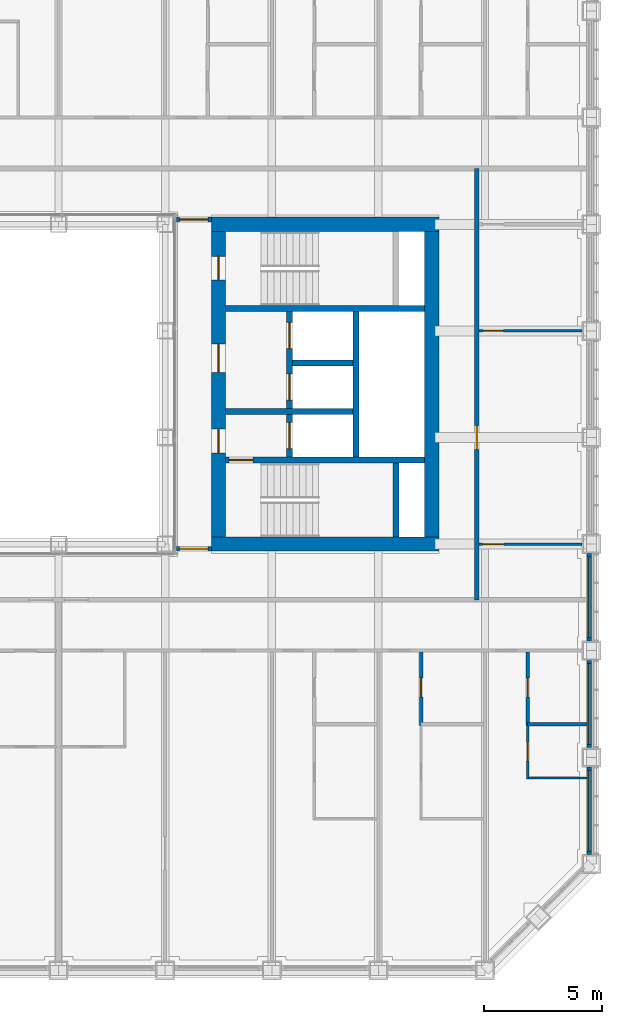
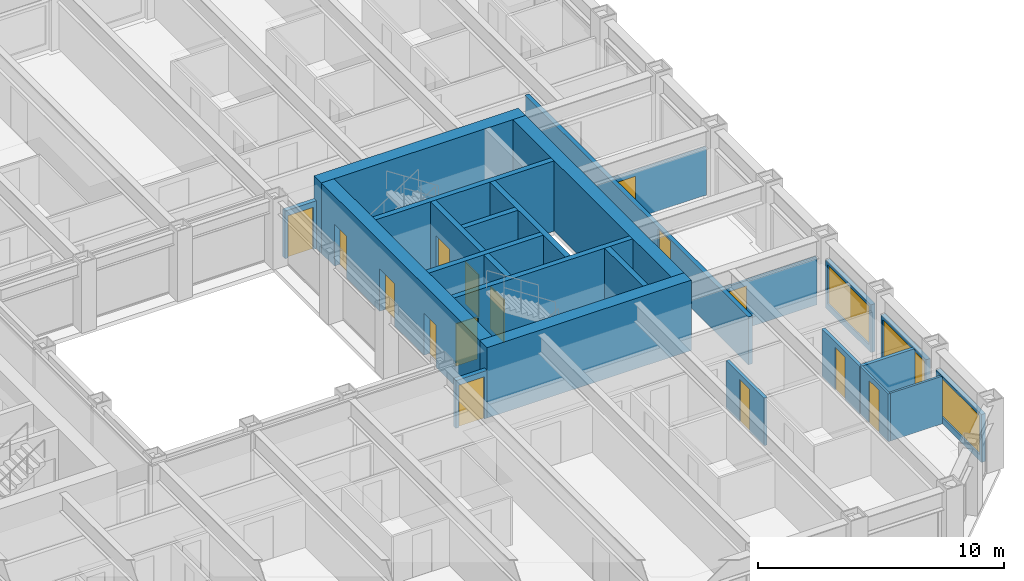
# One storey, part 12 of 21: 24 walls, 15 doors, 3 windows, 18 openings.
"""IFC4 building model written with IfcOpenShell, lengths in metres."""

from ifc_helpers import new_model, si_unit, direction, frame, frame_2d, origin, place, context, subcontext, project, spatial, rectangle, extrude, material, layer, layer_set, type_object, element, fill, save


model = new_model("IFC4")

# Units and contexts
model_context = context("Model", 3, precision=1e-05, world=origin(), true_north=direction((0.0, 1.0)))
body_context = subcontext(model_context, "Body", "Model", "MODEL_VIEW")
ifc_project = project(units=[si_unit("LENGTHUNIT", "METRE"), si_unit("AREAUNIT", "SQUARE_METRE"), si_unit("VOLUMEUNIT", "CUBIC_METRE"), si_unit("PLANEANGLEUNIT", "RADIAN"), si_unit("MASSUNIT", "GRAM", prefix="KILO")], contexts=[model_context])

# Site, building, storey
site_placement = place(None, origin())
site = spatial("IfcSite", under=ifc_project, at=site_placement, CompositionType="ELEMENT")
building_placement = place(site_placement, origin())
building = spatial("IfcBuilding", under=site, at=building_placement, Name="Msasa Ring Tower", CompositionType="ELEMENT")
storey_placement = place(building_placement, frame((0.0, 0.0, 79.0)))
storey = spatial("IfcBuildingStorey", under=building, at=storey_placement, Name="L20", CompositionType="ELEMENT", Elevation=79.0)

# Walls
ifc_material_1 = material(Name="Concrete C60/75", Category="concrete")
ifc_layer_1 = layer(ifc_material_1, 0.60009765625)
ifc_layer_set_1 = layer_set([ifc_layer_1], Name="CW1 CORE WALL 600")
wall_type_1 = type_object("IfcWallType", Name="CW1 CORE WALL 600", PredefinedType="SHEAR", material=ifc_layer_set_1)
for number, where, z_axis, x_axis, name in (
    (1, (8.699951171875, -6.75, 0.0), (0.0, 0.0, 1.0), (1.0, 0.0, 0.0), "E core wall S L20"),
    (2, (8.699951171875, 6.75, 0.0), (0.0, 0.0, 1.0), (1.0, 0.0, 0.0), "E core wall N L20"),
):
    element("IfcWall", number, at=place(storey_placement, frame(where, z_axis=z_axis, x_axis=x_axis)), inside=storey, type_object=wall_type_1, Name=name, PredefinedType="SHEAR", context=body_context, shape_type="SweptSolid", body=[
        extrude(rectangle(XDim=9.60009765625, YDim=0.60009765625, at=frame_2d((4.800048828125, 0.0))), origin(), (0.0, 0.0, 1.0), 3.5),
    ])

# Wall, openings, doors
wall_1_placement = place(storey_placement, frame((9.0, -6.449951171875, 0.0), z_axis=(0.0, 0.0, 1.0), x_axis=(0.0, 1.0, 0.0)))
wall_1 = element("IfcWall", 3, at=wall_1_placement, inside=storey, type_object=wall_type_1, Name="E core wall W L20", PredefinedType="SHEAR", context=body_context, shape_type="SweptSolid", body=[
    extrude(rectangle(XDim=12.89990234375, YDim=0.60009765625, at=frame_2d((6.449951171875, 0.0))), origin(), (0.0, 0.0, 1.0), 3.5),
])
opening_1_placement = place(wall_1_placement, frame((3.550048828125, 0.0, 0.0)))
opening_1 = element("IfcOpeningElement", 4, at=opening_1_placement, cuts=wall_1, Name="Opening RF-047", PredefinedType="OPENING", context=body_context, shape_type="SweptSolid", body=[
    extrude(rectangle(XDim=1.0, YDim=2.10009765625, at=frame_2d((0.5, 1.050048828125))), frame((0.0, 0.31005859375, 0.0), z_axis=(0.0, -1.0, 0.0), x_axis=(1.0, 0.0, 0.0)), (0.0, 0.0, 1.0), 0.6201171875),
])
opening_2_placement = place(wall_1_placement, frame((6.949951171875, 0.0, 0.0)))
opening_2 = element("IfcOpeningElement", 5, at=opening_2_placement, cuts=wall_1, Name="Opening RF-043", PredefinedType="OPENING", context=body_context, shape_type="SweptSolid", body=[
    extrude(rectangle(XDim=1.199951171875, YDim=2.10009765625, at=frame_2d((0.60009765625, 1.050048828125))), frame((0.0, 0.31005859375, 0.0), z_axis=(0.0, -1.0, 0.0), x_axis=(1.0, 0.0, 0.0)), (0.0, 0.0, 1.0), 0.6201171875),
])
opening_3_placement = place(wall_1_placement, frame((10.85009765625, 0.0, 0.0)))
opening_3 = element("IfcOpeningElement", 6, at=opening_3_placement, cuts=wall_1, Name="Opening RF-039", PredefinedType="OPENING", context=body_context, shape_type="SweptSolid", body=[
    extrude(rectangle(XDim=1.0, YDim=2.10009765625, at=frame_2d((0.5, 1.050048828125))), frame((0.0, 0.31005859375, 0.0), z_axis=(0.0, -1.0, 0.0), x_axis=(1.0, 0.0, 0.0)), (0.0, 0.0, 1.0), 0.6201171875),
])
ifc_material_2 = material(Name="Timber door leaf in a steel frame", Category="steel")
door_type_1 = type_object("IfcDoorType", Name="D4 LOBBY DOOR 1000x2100", OperationType="SINGLE_SWING_LEFT", PredefinedType="DOOR", material=ifc_material_2)
door_1_placement = place(opening_1_placement, origin())
door_1 = element("IfcDoor", 7, at=door_1_placement, inside=storey, type_object=door_type_1, Name="Door L20-EFFL", OperationType="SINGLE_SWING_LEFT", OverallHeight=2.10009765625, OverallWidth=1.0, PredefinedType="DOOR", context=body_context, shape_type="SweptSolid", body=[
    extrude(rectangle(XDim=1.0, YDim=2.10009765625, at=frame_2d((0.5, 1.050048828125))), frame((0.0, 0.02490234375, 0.0), z_axis=(0.0, -1.0, 0.0), x_axis=(1.0, 0.0, 0.0)), (0.0, 0.0, 1.0), 0.050048828125),
])
fill(opening_1, door_1)
ifc_material_3 = material(Name="Timber door leaf in a steel frame", Category="steel")
door_type_2 = type_object("IfcDoorType", Name="D5 WIDE LOBBY DOOR 1200x2100", OperationType="SINGLE_SWING_LEFT", PredefinedType="DOOR", material=ifc_material_3)
door_2_placement = place(opening_2_placement, origin())
door_2 = element("IfcDoor", 8, at=door_2_placement, inside=storey, type_object=door_type_2, Name="Door L20-ELL", OperationType="SINGLE_SWING_RIGHT", OverallHeight=2.10009765625, OverallWidth=1.199951171875, PredefinedType="DOOR", context=body_context, shape_type="SweptSolid", body=[
    extrude(rectangle(XDim=1.199951171875, YDim=2.10009765625, at=frame_2d((0.60009765625, 1.050048828125))), frame((0.0, 0.02490234375, 0.0), z_axis=(0.0, -1.0, 0.0), x_axis=(1.0, 0.0, 0.0)), (0.0, 0.0, 1.0), 0.050048828125),
])
fill(opening_2, door_2)
ifc_material_4 = material(Name="Timber door leaf in a steel frame", Category="steel")
door_type_3 = type_object("IfcDoorType", Name="D6 STAIR DOOR 1000x2100", OperationType="SINGLE_SWING_LEFT", PredefinedType="DOOR", material=ifc_material_4)
door_3_placement = place(opening_3_placement, origin())
door_3 = element("IfcDoor", 9, at=door_3_placement, inside=storey, type_object=door_type_3, Name="Door L20-ESTB", OperationType="SINGLE_SWING_RIGHT", OverallHeight=2.10009765625, OverallWidth=1.0, PredefinedType="DOOR", context=body_context, shape_type="SweptSolid", body=[
    extrude(rectangle(XDim=1.0, YDim=2.10009765625, at=frame_2d((0.5, 1.050048828125))), frame((0.0, 0.02490234375, 0.0), z_axis=(0.0, -1.0, 0.0), x_axis=(1.0, 0.0, 0.0)), (0.0, 0.0, 1.0), 0.050048828125),
])
fill(opening_3, door_3)

# Wall
wall_2_placement = place(storey_placement, frame((18.0, -6.449951171875, 0.0), z_axis=(0.0, 0.0, 1.0), x_axis=(0.0, 1.0, 0.0)))
element("IfcWall", 10, at=wall_2_placement, inside=storey, type_object=wall_type_1, Name="E core wall E L20", PredefinedType="SHEAR", context=body_context, shape_type="SweptSolid", body=[
    extrude(rectangle(XDim=12.89990234375, YDim=0.60009765625, at=frame_2d((6.449951171875, 0.0))), origin(), (0.0, 0.0, 1.0), 3.5),
])

# Wall, opening, door
ifc_material_5 = material(Name="Concrete C60/75", Category="concrete")
ifc_layer_2 = layer(ifc_material_5, 0.25)
ifc_layer_set_2 = layer_set([ifc_layer_2], Name="CW4 CORE INNER WALL 250")
wall_type_2 = type_object("IfcWallType", Name="CW4 CORE INNER WALL 250", PredefinedType="SHEAR", material=ifc_layer_set_2)
wall_3_placement = place(storey_placement, frame((9.300048828125, -3.199951171875, 0.0), z_axis=(0.0, 0.0, 1.0), x_axis=(1.0, 0.0, 0.0)))
wall_3 = element("IfcWall", 11, at=wall_3_placement, inside=storey, type_object=wall_type_2, Name="E core wall STAIRA L20", PredefinedType="SHEAR", context=body_context, shape_type="SweptSolid", body=[
    extrude(rectangle(XDim=8.39990234375, YDim=0.25, at=frame_2d((4.199951171875, 0.0))), origin(), (0.0, 0.0, 1.0), 3.5),
])
opening_4_placement = place(wall_3_placement, frame((0.14990234375, 0.0, 0.0)))
opening_4 = element("IfcOpeningElement", 12, at=opening_4_placement, cuts=wall_3, Name="Opening RF-049", PredefinedType="OPENING", context=body_context, shape_type="SweptSolid", body=[
    extrude(rectangle(XDim=1.0, YDim=2.10009765625, at=frame_2d((0.5, 1.050048828125))), frame((0.0, 0.135009765625, 0.0), z_axis=(0.0, -1.0, 0.0), x_axis=(1.0, 0.0, 0.0)), (0.0, 0.0, 1.0), 0.27001953125),
])
door_4_placement = place(opening_4_placement, origin())
door_4 = element("IfcDoor", 13, at=door_4_placement, inside=storey, type_object=door_type_3, Name="Door L20-ESTA", OperationType="SINGLE_SWING_LEFT", OverallHeight=2.10009765625, OverallWidth=1.0, PredefinedType="DOOR", context=body_context, shape_type="SweptSolid", body=[
    extrude(rectangle(XDim=1.0, YDim=2.10009765625, at=frame_2d((0.5, 1.050048828125))), frame((0.0, 0.02490234375, 0.0), z_axis=(0.0, -1.0, 0.0), x_axis=(1.0, 0.0, 0.0)), (0.0, 0.0, 1.0), 0.050048828125),
])
fill(opening_4, door_4)

# Walls
wall_4_placement = place(storey_placement, frame((9.300048828125, 3.199951171875, 0.0), z_axis=(0.0, 0.0, 1.0), x_axis=(1.0, 0.0, 0.0)))
element("IfcWall", 14, at=wall_4_placement, inside=storey, type_object=wall_type_2, Name="E core wall STAIRB L20", PredefinedType="SHEAR", context=body_context, shape_type="SweptSolid", body=[
    extrude(rectangle(XDim=8.39990234375, YDim=0.25, at=frame_2d((4.199951171875, 0.0))), origin(), (0.0, 0.0, 1.0), 3.5),
])
wall_5_placement = place(storey_placement, frame((16.5, -6.449951171875, 0.0), z_axis=(0.0, 0.0, 1.0), x_axis=(0.0, 1.0, 0.0)))
element("IfcWall", 15, at=wall_5_placement, inside=storey, type_object=wall_type_2, Name="E core wall RISERA L20", PredefinedType="SHEAR", context=body_context, shape_type="SweptSolid", body=[
    extrude(rectangle(XDim=3.125, YDim=0.25, at=frame_2d((1.5625, 0.0))), origin(), (0.0, 0.0, 1.0), 3.5),
])
wall_6_placement = place(storey_placement, frame((9.300048828125, -1.14990234375, 0.0), z_axis=(0.0, 0.0, 1.0), x_axis=(1.0, 0.0, 0.0)))
element("IfcWall", 16, at=wall_6_placement, inside=storey, type_object=wall_type_2, Name="E core wall FFL L20", PredefinedType="SHEAR", context=body_context, shape_type="SweptSolid", body=[
    extrude(rectangle(XDim=5.375, YDim=0.25, at=frame_2d((2.6875, 0.0))), origin(), (0.0, 0.0, 1.0), 3.5),
])

# Wall, openings, doors
wall_7_placement = place(storey_placement, frame((12.0, -3.074951171875, 0.0), z_axis=(0.0, 0.0, 1.0), x_axis=(0.0, 1.0, 0.0)))
wall_7 = element("IfcWall", 17, at=wall_7_placement, inside=storey, type_object=wall_type_2, Name="E core wall LOBBY L20", PredefinedType="SHEAR", context=body_context, shape_type="SweptSolid", body=[
    extrude(rectangle(XDim=6.14990234375, YDim=0.25, at=frame_2d((3.074951171875, 0.0))), origin(), (0.0, 0.0, 1.0), 3.5),
])
opening_5_placement = place(wall_7_placement, frame((0.35009765625, 0.0, 0.0)))
opening_5 = element("IfcOpeningElement", 18, at=opening_5_placement, cuts=wall_7, Name="Opening LD1", PredefinedType="OPENING", context=body_context, shape_type="SweptSolid", body=[
    extrude(rectangle(XDim=1.10009765625, YDim=2.10009765625, at=frame_2d((0.550048828125, 1.050048828125))), frame((0.0, 0.135009765625, 0.0), z_axis=(0.0, -1.0, 0.0), x_axis=(1.0, 0.0, 0.0)), (0.0, 0.0, 1.0), 0.27001953125),
])
opening_6_placement = place(wall_7_placement, frame((2.39990234375, 0.0, 0.0)))
opening_6 = element("IfcOpeningElement", 19, at=opening_6_placement, cuts=wall_7, Name="Opening LD1", PredefinedType="OPENING", context=body_context, shape_type="SweptSolid", body=[
    extrude(rectangle(XDim=1.10009765625, YDim=2.10009765625, at=frame_2d((0.550048828125, 1.050048828125))), frame((0.0, 0.135009765625, 0.0), z_axis=(0.0, -1.0, 0.0), x_axis=(1.0, 0.0, 0.0)), (0.0, 0.0, 1.0), 0.27001953125),
])
opening_7_placement = place(wall_7_placement, frame((4.574951171875, 0.0, 0.0)))
opening_7 = element("IfcOpeningElement", 20, at=opening_7_placement, cuts=wall_7, Name="Opening LD1", PredefinedType="OPENING", context=body_context, shape_type="SweptSolid", body=[
    extrude(rectangle(XDim=1.10009765625, YDim=2.10009765625, at=frame_2d((0.550048828125, 1.050048828125))), frame((0.0, 0.135009765625, 0.0), z_axis=(0.0, -1.0, 0.0), x_axis=(1.0, 0.0, 0.0)), (0.0, 0.0, 1.0), 0.27001953125),
])
ifc_material_6 = material(Name="Stainless steel lift landing door", Category="steel")
door_type_4 = type_object("IfcDoorType", Name="LD1 LIFT LANDING DOOR 1100x2100", OperationType="DOUBLE_DOOR_SLIDING", PredefinedType="DOOR", material=ifc_material_6)
door_5_placement = place(opening_5_placement, origin())
door_5 = element("IfcDoor", 21, at=door_5_placement, inside=storey, type_object=door_type_4, Name="Lift landing door FL-E L20", OperationType="DOUBLE_DOOR_SLIDING", OverallHeight=2.10009765625, OverallWidth=1.10009765625, PredefinedType="DOOR", context=body_context, shape_type="SweptSolid", body=[
    extrude(rectangle(XDim=1.10009765625, YDim=2.10009765625, at=frame_2d((0.550048828125, 1.050048828125))), frame((0.0, 0.02490234375, 0.0), z_axis=(0.0, -1.0, 0.0), x_axis=(1.0, 0.0, 0.0)), (0.0, 0.0, 1.0), 0.050048828125),
])
fill(opening_5, door_5)
door_6_placement = place(opening_6_placement, origin())
door_6 = element("IfcDoor", 22, at=door_6_placement, inside=storey, type_object=door_type_4, Name="Lift landing door PL-R1 L20", OperationType="DOUBLE_DOOR_SLIDING", OverallHeight=2.10009765625, OverallWidth=1.10009765625, PredefinedType="DOOR", context=body_context, shape_type="SweptSolid", body=[
    extrude(rectangle(XDim=1.10009765625, YDim=2.10009765625, at=frame_2d((0.550048828125, 1.050048828125))), frame((0.0, 0.02490234375, 0.0), z_axis=(0.0, -1.0, 0.0), x_axis=(1.0, 0.0, 0.0)), (0.0, 0.0, 1.0), 0.050048828125),
])
fill(opening_6, door_6)
door_7_placement = place(opening_7_placement, origin())
door_7 = element("IfcDoor", 23, at=door_7_placement, inside=storey, type_object=door_type_4, Name="Lift landing door PL-R2 L20", OperationType="DOUBLE_DOOR_SLIDING", OverallHeight=2.10009765625, OverallWidth=1.10009765625, PredefinedType="DOOR", context=body_context, shape_type="SweptSolid", body=[
    extrude(rectangle(XDim=1.10009765625, YDim=2.10009765625, at=frame_2d((0.550048828125, 1.050048828125))), frame((0.0, 0.02490234375, 0.0), z_axis=(0.0, -1.0, 0.0), x_axis=(1.0, 0.0, 0.0)), (0.0, 0.0, 1.0), 0.050048828125),
])
fill(opening_7, door_7)

# Walls
wall_8_placement = place(storey_placement, frame((14.800048828125, -3.074951171875, 0.0), z_axis=(0.0, 0.0, 1.0), x_axis=(0.0, 1.0, 0.0)))
element("IfcWall", 24, at=wall_8_placement, inside=storey, type_object=wall_type_2, Name="E core wall SHAFT L20", PredefinedType="SHEAR", context=body_context, shape_type="SweptSolid", body=[
    extrude(rectangle(XDim=6.14990234375, YDim=0.25, at=frame_2d((3.074951171875, 0.0))), origin(), (0.0, 0.0, 1.0), 3.5),
])
wall_9_placement = place(storey_placement, frame((12.125, 0.89990234375, 0.0), z_axis=(0.0, 0.0, 1.0), x_axis=(1.0, 0.0, 0.0)))
element("IfcWall", 25, at=wall_9_placement, inside=storey, type_object=wall_type_2, Name="E core wall LIFT1 L20", PredefinedType="SHEAR", context=body_context, shape_type="SweptSolid", body=[
    extrude(rectangle(XDim=2.550048828125, YDim=0.25, at=frame_2d((1.27490234375, 0.0))), origin(), (0.0, 0.0, 1.0), 3.5),
])

# Wall, opening, window
ifc_material_7 = material(Name="Terracotta rainscreen on blockwork", Category="masonry")
ifc_layer_3 = layer(ifc_material_7, 0.199951171875)
ifc_layer_set_3 = layer_set([ifc_layer_3], Name="FW1 TERRACOTTA-LINED INFILL BAY WALL 200")
wall_type_3 = type_object("IfcWallType", Name="FW1 TERRACOTTA-LINED INFILL BAY WALL 200", PredefinedType="SOLIDWALL", material=ifc_layer_set_3)
wall_10_placement = place(storey_placement, frame((24.64990234375, -19.844970703125, 0.0), z_axis=(0.0, 0.0, 1.0), x_axis=(0.0, 1.0, 0.0)))
wall_10 = element("IfcWall", 26, at=wall_10_placement, inside=storey, type_object=wall_type_3, Name="Infill bay wall E L20 11", PredefinedType="SOLIDWALL", context=body_context, shape_type="SweptSolid", body=[
    extrude(rectangle(XDim=3.68994140625, YDim=0.199951171875, at=frame_2d((1.844970703125, 0.0))), origin(), (0.0, 0.0, 1.0), 2.37890625),
])
opening_8_placement = place(wall_10_placement, frame((0.14501953125, 0.0, 0.300048828125)))
opening_8 = element("IfcOpeningElement", 27, at=opening_8_placement, cuts=wall_10, Name="Opening WN1", PredefinedType="OPENING", context=body_context, shape_type="SweptSolid", body=[
    extrude(rectangle(XDim=3.39990234375, YDim=1.928955078125, at=frame_2d((1.699951171875, 0.96435546875))), frame((0.0, 0.10986328125, 0.0), z_axis=(0.0, -1.0, 0.0), x_axis=(1.0, 0.0, 0.0)), (0.0, 0.0, 1.0), 0.219970703125),
])
ifc_material_8 = material(Name="Aluminium frame with clear glass", Category="aluminium")
window_type = type_object("IfcWindowType", Name="WN1 RESIDENCE WINDOW 3400x1929", PartitioningType="SINGLE_PANEL", PredefinedType="WINDOW", material=ifc_material_8)
window_1_placement = place(opening_8_placement, origin())
window_1 = element("IfcWindow", 28, at=window_1_placement, inside=storey, type_object=window_type, Name="Window E L20 11", OverallHeight=1.928955078125, OverallWidth=3.39990234375, PartitioningType="SINGLE_PANEL", PredefinedType="WINDOW", context=body_context, shape_type="SweptSolid", body=[
    extrude(rectangle(XDim=3.39990234375, YDim=1.928955078125, at=frame_2d((1.699951171875, 0.96435546875))), frame((0.0, 0.030029296875, 0.0), z_axis=(0.0, -1.0, 0.0), x_axis=(1.0, 0.0, 0.0)), (0.0, 0.0, 1.0), 0.06005859375),
])
fill(opening_8, window_1)

wall_11_placement = place(storey_placement, frame((24.64990234375, -15.344970703125, 0.0), z_axis=(0.0, 0.0, 1.0), x_axis=(0.0, 1.0, 0.0)))
wall_11 = element("IfcWall", 29, at=wall_11_placement, inside=storey, type_object=wall_type_3, Name="Infill bay wall E L20 12", PredefinedType="SOLIDWALL", context=body_context, shape_type="SweptSolid", body=[
    extrude(rectangle(XDim=3.68994140625, YDim=0.199951171875, at=frame_2d((1.844970703125, 0.0))), origin(), (0.0, 0.0, 1.0), 2.37890625),
])
opening_9_placement = place(wall_11_placement, frame((0.14501953125, 0.0, 0.300048828125)))
opening_9 = element("IfcOpeningElement", 30, at=opening_9_placement, cuts=wall_11, Name="Opening WN1", PredefinedType="OPENING", context=body_context, shape_type="SweptSolid", body=[
    extrude(rectangle(XDim=3.39990234375, YDim=1.928955078125, at=frame_2d((1.699951171875, 0.96435546875))), frame((0.0, 0.10986328125, 0.0), z_axis=(0.0, -1.0, 0.0), x_axis=(1.0, 0.0, 0.0)), (0.0, 0.0, 1.0), 0.219970703125),
])
window_2_placement = place(opening_9_placement, origin())
window_2 = element("IfcWindow", 31, at=window_2_placement, inside=storey, type_object=window_type, Name="Window E L20 12", OverallHeight=1.928955078125, OverallWidth=3.39990234375, PartitioningType="SINGLE_PANEL", PredefinedType="WINDOW", context=body_context, shape_type="SweptSolid", body=[
    extrude(rectangle(XDim=3.39990234375, YDim=1.928955078125, at=frame_2d((1.699951171875, 0.96435546875))), frame((0.0, 0.030029296875, 0.0), z_axis=(0.0, -1.0, 0.0), x_axis=(1.0, 0.0, 0.0)), (0.0, 0.0, 1.0), 0.06005859375),
])
fill(opening_9, window_2)

wall_12_placement = place(storey_placement, frame((24.64990234375, -10.844970703125, 0.0), z_axis=(0.0, 0.0, 1.0), x_axis=(0.0, 1.0, 0.0)))
wall_12 = element("IfcWall", 32, at=wall_12_placement, inside=storey, type_object=wall_type_3, Name="Infill bay wall E L20 13", PredefinedType="SOLIDWALL", context=body_context, shape_type="SweptSolid", body=[
    extrude(rectangle(XDim=3.68994140625, YDim=0.199951171875, at=frame_2d((1.844970703125, 0.0))), origin(), (0.0, 0.0, 1.0), 2.37890625),
])
opening_10_placement = place(wall_12_placement, frame((0.14501953125, 0.0, 0.300048828125)))
opening_10 = element("IfcOpeningElement", 33, at=opening_10_placement, cuts=wall_12, Name="Opening WN1", PredefinedType="OPENING", context=body_context, shape_type="SweptSolid", body=[
    extrude(rectangle(XDim=3.39990234375, YDim=1.928955078125, at=frame_2d((1.699951171875, 0.96435546875))), frame((0.0, 0.10986328125, 0.0), z_axis=(0.0, -1.0, 0.0), x_axis=(1.0, 0.0, 0.0)), (0.0, 0.0, 1.0), 0.219970703125),
])
window_3_placement = place(opening_10_placement, origin())
window_3 = element("IfcWindow", 34, at=window_3_placement, inside=storey, type_object=window_type, Name="Window E L20 13", OverallHeight=1.928955078125, OverallWidth=3.39990234375, PartitioningType="SINGLE_PANEL", PredefinedType="WINDOW", context=body_context, shape_type="SweptSolid", body=[
    extrude(rectangle(XDim=3.39990234375, YDim=1.928955078125, at=frame_2d((1.699951171875, 0.96435546875))), frame((0.0, 0.030029296875, 0.0), z_axis=(0.0, -1.0, 0.0), x_axis=(1.0, 0.0, 0.0)), (0.0, 0.0, 1.0), 0.06005859375),
])
fill(opening_10, window_3)

# Wall, opening, door
ifc_material_9 = material(Name="Concrete blockwork", Category="masonry")
ifc_layer_4 = layer(ifc_material_9, 0.199951171875)
ifc_layer_set_4 = layer_set([ifc_layer_4], Name="PT1 CORRIDOR WALL 200")
wall_type_4 = type_object("IfcWallType", Name="PT1 CORRIDOR WALL 200", PredefinedType="PARTITIONING", material=ifc_layer_set_4)
wall_13_placement = place(storey_placement, frame((7.22998046875, 6.949951171875, 0.0), z_axis=(0.0, 0.0, 1.0), x_axis=(1.0, 0.0, 0.0)))
wall_13 = element("IfcWall", 35, at=wall_13_placement, inside=storey, type_object=wall_type_4, Name="Corridor wall L20-SDEN", PredefinedType="PARTITIONING", context=body_context, shape_type="SweptSolid", body=[
    extrude(rectangle(XDim=1.469970703125, YDim=0.199951171875, at=frame_2d((0.73486328125, 0.0))), origin(), (0.0, 0.0, 1.0), 2.373291015625),
])
opening_11_placement = place(wall_13_placement, frame((0.135009765625, 0.0, 0.0)))
opening_11 = element("IfcOpeningElement", 36, at=opening_11_placement, cuts=wall_13, Name="Opening RF-035", PredefinedType="OPENING", context=body_context, shape_type="SweptSolid", body=[
    extrude(rectangle(XDim=1.199951171875, YDim=2.10009765625, at=frame_2d((0.60009765625, 1.050048828125))), frame((0.0, 0.10986328125, 0.0), z_axis=(0.0, -1.0, 0.0), x_axis=(1.0, 0.0, 0.0)), (0.0, 0.0, 1.0), 0.219970703125),
])
ifc_material_10 = material(Name="Timber door leaf in a steel frame", Category="steel")
door_type_5 = type_object("IfcDoorType", Name="D25 CORRIDOR PAIR OF SMOKE DOORS 1200x2100", OperationType="DOUBLE_DOOR_DOUBLE_SWING", PredefinedType="DOOR", material=ifc_material_10)
door_8_placement = place(opening_11_placement, origin())
door_8 = element("IfcDoor", 37, at=door_8_placement, inside=storey, type_object=door_type_5, Name="Door L20-SDEN", OperationType="DOUBLE_DOOR_DOUBLE_SWING", OverallHeight=2.10009765625, OverallWidth=1.199951171875, PredefinedType="DOOR", context=body_context, shape_type="SweptSolid", body=[
    extrude(rectangle(XDim=1.199951171875, YDim=2.10009765625, at=frame_2d((0.60009765625, 1.050048828125))), frame((0.0, 0.02490234375, 0.0), z_axis=(0.0, -1.0, 0.0), x_axis=(1.0, 0.0, 0.0)), (0.0, 0.0, 1.0), 0.050048828125),
])
fill(opening_11, door_8)

wall_14_placement = place(storey_placement, frame((7.22998046875, -6.949951171875, 0.0), z_axis=(0.0, 0.0, 1.0), x_axis=(1.0, 0.0, 0.0)))
wall_14 = element("IfcWall", 38, at=wall_14_placement, inside=storey, type_object=wall_type_4, Name="Corridor wall L20-SDES", PredefinedType="PARTITIONING", context=body_context, shape_type="SweptSolid", body=[
    extrude(rectangle(XDim=1.469970703125, YDim=0.199951171875, at=frame_2d((0.73486328125, 0.0))), origin(), (0.0, 0.0, 1.0), 2.373291015625),
])
opening_12_placement = place(wall_14_placement, frame((0.135009765625, 0.0, 0.0)))
opening_12 = element("IfcOpeningElement", 39, at=opening_12_placement, cuts=wall_14, Name="Opening RF-053", PredefinedType="OPENING", context=body_context, shape_type="SweptSolid", body=[
    extrude(rectangle(XDim=1.199951171875, YDim=2.10009765625, at=frame_2d((0.60009765625, 1.050048828125))), frame((0.0, 0.10986328125, 0.0), z_axis=(0.0, -1.0, 0.0), x_axis=(1.0, 0.0, 0.0)), (0.0, 0.0, 1.0), 0.219970703125),
])
door_9_placement = place(opening_12_placement, origin())
door_9 = element("IfcDoor", 40, at=door_9_placement, inside=storey, type_object=door_type_5, Name="Door L20-SDES", OperationType="DOUBLE_DOOR_DOUBLE_SWING", OverallHeight=2.10009765625, OverallWidth=1.199951171875, PredefinedType="DOOR", context=body_context, shape_type="SweptSolid", body=[
    extrude(rectangle(XDim=1.199951171875, YDim=2.10009765625, at=frame_2d((0.60009765625, 1.050048828125))), frame((0.0, 0.02490234375, 0.0), z_axis=(0.0, -1.0, 0.0), x_axis=(1.0, 0.0, 0.0)), (0.0, 0.0, 1.0), 0.050048828125),
])
fill(opening_12, door_9)

wall_15_placement = place(storey_placement, frame((19.89990234375, -9.10009765625, 0.0), z_axis=(0.0, 0.0, 1.0), x_axis=(0.0, 1.0, 0.0)))
wall_15 = element("IfcWall", 41, at=wall_15_placement, inside=storey, type_object=wall_type_4, Name="Corridor wall L20-STRE", PredefinedType="PARTITIONING", context=body_context, shape_type="SweptSolid", body=[
    extrude(rectangle(XDim=18.2001953125, YDim=0.199951171875, at=frame_2d((9.10009765625, 0.0))), origin(), (0.0, 0.0, 1.0), 2.373291015625),
])
opening_13_placement = place(wall_15_placement, frame((6.35009765625, 0.0, 0.0)))
opening_13 = element("IfcOpeningElement", 42, at=opening_13_placement, cuts=wall_15, Name="Opening RF-045", PredefinedType="OPENING", context=body_context, shape_type="SweptSolid", body=[
    extrude(rectangle(XDim=1.0, YDim=2.300048828125, at=frame_2d((0.5, 1.14990234375))), frame((0.0, 0.10986328125, 0.0), z_axis=(0.0, -1.0, 0.0), x_axis=(1.0, 0.0, 0.0)), (0.0, 0.0, 1.0), 0.219970703125),
])
ifc_material_11 = material(Name="Timber door leaf in a steel frame", Category="steel")
door_type_6 = type_object("IfcDoorType", Name="D16 UPPER RESIDENCE ENTRANCE DOOR 1000x2300", OperationType="SINGLE_SWING_LEFT", PredefinedType="DOOR", material=ifc_material_11)
door_10_placement = place(opening_13_placement, origin())
door_10 = element("IfcDoor", 43, at=door_10_placement, inside=storey, type_object=door_type_6, Name="Door L20-STE", OperationType="SINGLE_SWING_LEFT", OverallHeight=2.300048828125, OverallWidth=1.0, PredefinedType="DOOR", context=body_context, shape_type="SweptSolid", body=[
    extrude(rectangle(XDim=1.0, YDim=2.300048828125, at=frame_2d((0.5, 1.14990234375))), frame((0.0, 0.02490234375, 0.0), z_axis=(0.0, -1.0, 0.0), x_axis=(1.0, 0.0, 0.0)), (0.0, 0.0, 1.0), 0.050048828125),
])
fill(opening_13, door_10)

ifc_material_12 = material(Name="Gypsum board on steel studs", Category="steel")
ifc_layer_5 = layer(ifc_material_12, 0.10009765625)
ifc_layer_set_5 = layer_set([ifc_layer_5], Name="PT2 STUD PARTITION 100")
wall_type_5 = type_object("IfcWallType", Name="PT2 STUD PARTITION 100", PredefinedType="PARTITIONING", material=ifc_layer_set_5)
wall_16_placement = place(storey_placement, frame((22.050048828125, -16.673583984375, 0.0), z_axis=(0.0, 0.0, 1.0), x_axis=(0.0, 1.0, 0.0)))
wall_16 = element("IfcWall", 44, at=wall_16_placement, inside=storey, type_object=wall_type_5, Name="Partition L20-VSEWX3", PredefinedType="PARTITIONING", context=body_context, shape_type="SweptSolid", body=[
    extrude(rectangle(XDim=2.273681640625, YDim=0.10009765625, at=frame_2d((1.13671875, 0.0))), origin(), (0.0, 0.0, 1.0), 2.373291015625),
])
opening_14_placement = place(wall_16_placement, frame((0.76171875, 0.0, 0.0)))
opening_14 = element("IfcOpeningElement", 45, at=opening_14_placement, cuts=wall_16, Name="Opening RF-079", PredefinedType="OPENING", context=body_context, shape_type="SweptSolid", body=[
    extrude(rectangle(XDim=0.800048828125, YDim=2.10009765625, at=frame_2d((0.39990234375, 1.050048828125))), frame((0.0, 0.06005859375, 0.0), z_axis=(0.0, -1.0, 0.0), x_axis=(1.0, 0.0, 0.0)), (0.0, 0.0, 1.0), 0.1201171875),
])
ifc_material_13 = material(Name="Timber door leaf in a steel frame", Category="steel")
door_type_7 = type_object("IfcDoorType", Name="D60 DRESSING ROOM DOOR 800x2100", OperationType="SINGLE_SWING_LEFT", PredefinedType="DOOR", material=ifc_material_13)
door_11_placement = place(opening_14_placement, origin())
door_11 = element("IfcDoor", 46, at=door_11_placement, inside=storey, type_object=door_type_7, Name="Door L20-VSEW3", OperationType="SINGLE_SWING_LEFT", OverallHeight=2.10009765625, OverallWidth=0.800048828125, PredefinedType="DOOR", context=body_context, shape_type="SweptSolid", body=[
    extrude(rectangle(XDim=0.800048828125, YDim=2.10009765625, at=frame_2d((0.39990234375, 1.050048828125))), frame((0.0, 0.02490234375, 0.0), z_axis=(0.0, -1.0, 0.0), x_axis=(1.0, 0.0, 0.0)), (0.0, 0.0, 1.0), 0.050048828125),
])
fill(opening_14, door_11)

# Wall
wall_17_placement = place(storey_placement, frame((22.050048828125, -16.62353515625, 0.0), z_axis=(0.0, 0.0, 1.0), x_axis=(1.0, 0.0, 0.0)))
element("IfcWall", 47, at=wall_17_placement, inside=storey, type_object=wall_type_5, Name="Partition L20-VSEWY3", PredefinedType="PARTITIONING", context=body_context, shape_type="SweptSolid", body=[
    extrude(rectangle(XDim=2.5, YDim=0.10009765625, at=frame_2d((1.25, 0.0))), origin(), (0.0, 0.0, 1.0), 2.373291015625),
])

# Wall, opening, door
wall_18_placement = place(storey_placement, frame((20.0, -6.75, 0.0), z_axis=(0.0, 0.0, 1.0), x_axis=(1.0, 0.0, 0.0)))
wall_18 = element("IfcWall", 48, at=wall_18_placement, inside=storey, type_object=wall_type_5, Name="Partition L20-STEKY", PredefinedType="PARTITIONING", context=body_context, shape_type="SweptSolid", body=[
    extrude(rectangle(XDim=4.35009765625, YDim=0.10009765625, at=frame_2d((2.175048828125, 0.0))), origin(), (0.0, 0.0, 1.0), 2.373291015625),
])
opening_15_placement = place(wall_18_placement, frame((0.14990234375, 0.0, 0.0)))
opening_15 = element("IfcOpeningElement", 49, at=opening_15_placement, cuts=wall_18, Name="Opening RF-051", PredefinedType="OPENING", context=body_context, shape_type="SweptSolid", body=[
    extrude(rectangle(XDim=0.89990234375, YDim=2.10009765625, at=frame_2d((0.449951171875, 1.050048828125))), frame((0.0, 0.06005859375, 0.0), z_axis=(0.0, -1.0, 0.0), x_axis=(1.0, 0.0, 0.0)), (0.0, 0.0, 1.0), 0.1201171875),
])
ifc_material_14 = material(Name="Timber door leaf in a steel frame", Category="steel")
door_type_8 = type_object("IfcDoorType", Name="D22 INTERNAL HALL DOOR 900x2100", OperationType="SINGLE_SWING_LEFT", PredefinedType="DOOR", material=ifc_material_14)
door_12_placement = place(opening_15_placement, origin())
door_12 = element("IfcDoor", 50, at=door_12_placement, inside=storey, type_object=door_type_8, Name="Door L20-STEK", OperationType="SINGLE_SWING_LEFT", OverallHeight=2.10009765625, OverallWidth=0.89990234375, PredefinedType="DOOR", context=body_context, shape_type="SweptSolid", body=[
    extrude(rectangle(XDim=0.89990234375, YDim=2.10009765625, at=frame_2d((0.449951171875, 1.050048828125))), frame((0.0, 0.02490234375, 0.0), z_axis=(0.0, -1.0, 0.0), x_axis=(1.0, 0.0, 0.0)), (0.0, 0.0, 1.0), 0.050048828125),
])
fill(opening_15, door_12)

wall_19_placement = place(storey_placement, frame((20.0, 2.25, 0.0), z_axis=(0.0, 0.0, 1.0), x_axis=(1.0, 0.0, 0.0)))
wall_19 = element("IfcWall", 51, at=wall_19_placement, inside=storey, type_object=wall_type_5, Name="Partition L20-STERY", PredefinedType="PARTITIONING", context=body_context, shape_type="SweptSolid", body=[
    extrude(rectangle(XDim=4.35009765625, YDim=0.10009765625, at=frame_2d((2.175048828125, 0.0))), origin(), (0.0, 0.0, 1.0), 2.373291015625),
])
opening_16_placement = place(wall_19_placement, frame((0.175048828125, 0.0, 0.0)))
opening_16 = element("IfcOpeningElement", 52, at=opening_16_placement, cuts=wall_19, Name="Opening RF-041", PredefinedType="OPENING", context=body_context, shape_type="SweptSolid", body=[
    extrude(rectangle(XDim=0.85009765625, YDim=2.10009765625, at=frame_2d((0.425048828125, 1.050048828125))), frame((0.0, 0.06005859375, 0.0), z_axis=(0.0, -1.0, 0.0), x_axis=(1.0, 0.0, 0.0)), (0.0, 0.0, 1.0), 0.1201171875),
])
ifc_material_15 = material(Name="Timber door leaf in a steel frame", Category="steel")
door_type_9 = type_object("IfcDoorType", Name="D14 BEDROOM DOOR 850x2100", OperationType="SINGLE_SWING_LEFT", PredefinedType="DOOR", material=ifc_material_15)
door_13_placement = place(opening_16_placement, origin())
door_13 = element("IfcDoor", 53, at=door_13_placement, inside=storey, type_object=door_type_9, Name="Door L20-STER", OperationType="SINGLE_SWING_LEFT", OverallHeight=2.10009765625, OverallWidth=0.85009765625, PredefinedType="DOOR", context=body_context, shape_type="SweptSolid", body=[
    extrude(rectangle(XDim=0.85009765625, YDim=2.10009765625, at=frame_2d((0.425048828125, 1.050048828125))), frame((0.0, 0.02490234375, 0.0), z_axis=(0.0, -1.0, 0.0), x_axis=(1.0, 0.0, 0.0)), (0.0, 0.0, 1.0), 0.050048828125),
])
fill(opening_16, door_13)

ifc_material_16 = material(Name="Moisture-resistant board on steel studs with a concealed cistern and pipe void, tiled", Category="steel")
ifc_layer_6 = layer(ifc_material_16, 0.14990234375)
ifc_layer_set_6 = layer_set([ifc_layer_6], Name="PT4 BATHROOM WET WALL 150")
wall_type_6 = type_object("IfcWallType", Name="PT4 BATHROOM WET WALL 150", PredefinedType="PARTITIONING", material=ifc_layer_set_6)
wall_20_placement = place(storey_placement, frame((17.550048828125, -14.39990234375, 0.0), z_axis=(0.0, 0.0, 1.0), x_axis=(0.0, 1.0, 0.0)))
wall_20 = element("IfcWall", 54, at=wall_20_placement, inside=storey, type_object=wall_type_6, Name="Partition L20-VSEBX2", PredefinedType="PARTITIONING", context=body_context, shape_type="SweptSolid", body=[
    extrude(rectangle(XDim=3.08740234375, YDim=0.14990234375, at=frame_2d((1.543701171875, 0.0))), origin(), (0.0, 0.0, 1.0), 2.373291015625),
])
opening_17_placement = place(wall_20_placement, frame((1.199951171875, 0.0, 0.0)))
opening_17 = element("IfcOpeningElement", 55, at=opening_17_placement, cuts=wall_20, Name="Opening RF-074", PredefinedType="OPENING", context=body_context, shape_type="SweptSolid", body=[
    extrude(rectangle(XDim=0.800048828125, YDim=2.10009765625, at=frame_2d((0.39990234375, 1.050048828125))), frame((0.0, 0.0849609375, 0.0), z_axis=(0.0, -1.0, 0.0), x_axis=(1.0, 0.0, 0.0)), (0.0, 0.0, 1.0), 0.169921875),
])
ifc_material_17 = material(Name="Timber door leaf in a steel frame", Category="steel")
door_type_10 = type_object("IfcDoorType", Name="D21 POCKET SLIDING BATHROOM DOOR 800x2100", OperationType="SINGLE_SWING_LEFT", PredefinedType="DOOR", material=ifc_material_17)
door_14_placement = place(opening_17_placement, origin())
door_14 = element("IfcDoor", 56, at=door_14_placement, inside=storey, type_object=door_type_10, Name="Door L20-VSEB2", OperationType="SINGLE_SWING_RIGHT", OverallHeight=2.10009765625, OverallWidth=0.800048828125, PredefinedType="DOOR", context=body_context, shape_type="SweptSolid", body=[
    extrude(rectangle(XDim=0.800048828125, YDim=2.10009765625, at=frame_2d((0.39990234375, 1.050048828125))), frame((0.0, 0.02490234375, 0.0), z_axis=(0.0, -1.0, 0.0), x_axis=(1.0, 0.0, 0.0)), (0.0, 0.0, 1.0), 0.050048828125),
])
fill(opening_17, door_14)

wall_21_placement = place(storey_placement, frame((22.050048828125, -14.39990234375, 0.0), z_axis=(0.0, 0.0, 1.0), x_axis=(0.0, 1.0, 0.0)))
wall_21 = element("IfcWall", 57, at=wall_21_placement, inside=storey, type_object=wall_type_6, Name="Partition L20-VSEBX3", PredefinedType="PARTITIONING", context=body_context, shape_type="SweptSolid", body=[
    extrude(rectangle(XDim=3.08740234375, YDim=0.14990234375, at=frame_2d((1.543701171875, 0.0))), origin(), (0.0, 0.0, 1.0), 2.373291015625),
])
opening_18_placement = place(wall_21_placement, frame((1.199951171875, 0.0, 0.0)))
opening_18 = element("IfcOpeningElement", 58, at=opening_18_placement, cuts=wall_21, Name="Opening RF-075", PredefinedType="OPENING", context=body_context, shape_type="SweptSolid", body=[
    extrude(rectangle(XDim=0.800048828125, YDim=2.10009765625, at=frame_2d((0.39990234375, 1.050048828125))), frame((0.0, 0.0849609375, 0.0), z_axis=(0.0, -1.0, 0.0), x_axis=(1.0, 0.0, 0.0)), (0.0, 0.0, 1.0), 0.169921875),
])
door_15_placement = place(opening_18_placement, origin())
door_15 = element("IfcDoor", 59, at=door_15_placement, inside=storey, type_object=door_type_10, Name="Door L20-VSEB3", OperationType="SINGLE_SWING_RIGHT", OverallHeight=2.10009765625, OverallWidth=0.800048828125, PredefinedType="DOOR", context=body_context, shape_type="SweptSolid", body=[
    extrude(rectangle(XDim=0.800048828125, YDim=2.10009765625, at=frame_2d((0.39990234375, 1.050048828125))), frame((0.0, 0.02490234375, 0.0), z_axis=(0.0, -1.0, 0.0), x_axis=(1.0, 0.0, 0.0)), (0.0, 0.0, 1.0), 0.050048828125),
])
fill(opening_18, door_15)

# Wall
wall_22_placement = place(storey_placement, frame((22.050048828125, -14.35009765625, 0.0), z_axis=(0.0, 0.0, 1.0), x_axis=(1.0, 0.0, 0.0)))
element("IfcWall", 60, at=wall_22_placement, inside=storey, type_object=wall_type_6, Name="Partition L20-VSEBY3", PredefinedType="PARTITIONING", context=body_context, shape_type="SweptSolid", body=[
    extrude(rectangle(XDim=2.5, YDim=0.14990234375, at=frame_2d((1.25, 0.0))), origin(), (0.0, 0.0, 1.0), 2.373291015625),
])

save(model, "model.ifc")
